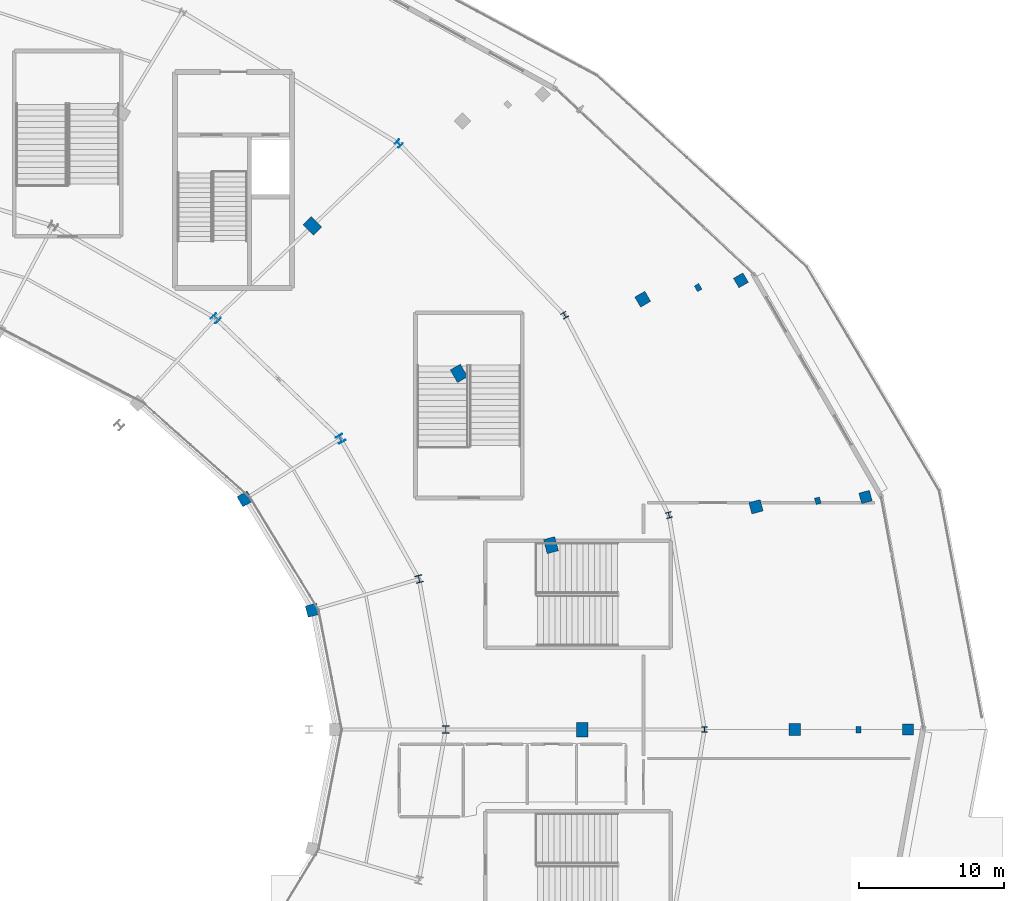
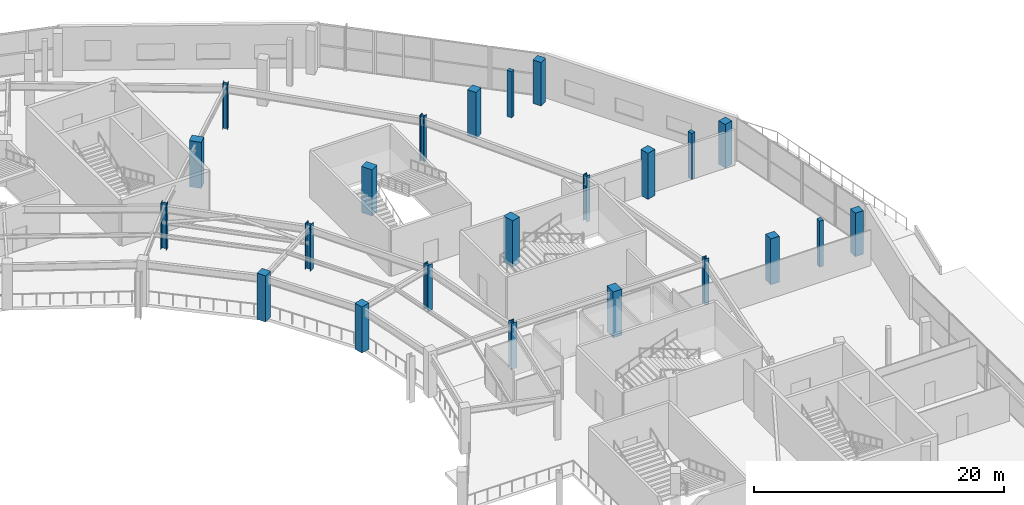
# One storey, part 14 of 107: 23 columns.
"""IFC4 building model written with IfcOpenShell, lengths in metres."""

import ifcopenshell
import ifcopenshell.guid

model = None  # the IFC model being written
_history = None  # IfcOwnerHistory: only IFC2X3 demands one
_inside = {}  # id of a spatial element -> (the spatial element, [elements in it])
_under = {}  # id of a project, library or spatial element -> (it, [spatial elements below it])
_declared = {}  # id of a project -> (the project, [libraries it declares])
_typed = {}  # id of a type object -> (the type object, [elements of that type])
_made_of = {}  # id of a material, layer set ... -> (it, [elements and type objects made of it])


def new_model(schema):
    """Start an empty IFC model of exactly this schema.

    Asked for "IFC4X3", IfcOpenShell would pick the latest addendum, in which some entities
    have other attributes; the version numbers below select the first issue.
    IFC2X3 requires an IfcOwnerHistory on every rooted entity: one is made here for all.
    """
    global model, _history
    if schema == "IFC4X3":
        model = ifcopenshell.file(schema_version=(4, 3, 0, 0))
    else:
        model = ifcopenshell.file(schema=schema)
    _inside.clear()
    _under.clear()
    _declared.clear()
    _typed.clear()
    _made_of.clear()
    _history = None
    if model.schema == "IFC2X3":
        org = make("IfcOrganization", Name="unknown")
        user = make(
            "IfcPersonAndOrganization",
            ThePerson=make("IfcPerson", FamilyName="unknown"),
            TheOrganization=org,
        )
        app = make(
            "IfcApplication",
            ApplicationDeveloper=org,
            Version="unknown",
            ApplicationFullName="unknown",
            ApplicationIdentifier="unknown",
        )
        _history = make(
            "IfcOwnerHistory",
            OwningUser=user,
            OwningApplication=app,
            ChangeAction="ADDED",
            CreationDate=0,
        )
    return model


def make(cls, **values):
    """One entity of the class cls with the attributes given. An attribute that is None is left unset."""
    return model.create_entity(
        cls, **{name: value for name, value in values.items() if value is not None}
    )


def rooted(cls, **values):
    """An entity with a GlobalId (a new one), such as an element, a storey or a relation."""
    return make(cls, GlobalId=ifcopenshell.guid.new(), OwnerHistory=_history, **values)


def si_unit(unit_type, name, prefix=None):
    """IfcSIUnit, for example si_unit("LENGTHUNIT", "METRE", prefix="MILLI")."""
    return make("IfcSIUnit", UnitType=unit_type, Prefix=prefix, Name=name)


def assignment(units):
    """IfcUnitAssignment: the units of a project."""
    return None if units is None else make("IfcUnitAssignment", Units=units)


def point(xyz):
    """IfcCartesianPoint."""
    return None if xyz is None else make("IfcCartesianPoint", Coordinates=xyz)


def direction(xyz):
    """IfcDirection."""
    return None if xyz is None else make("IfcDirection", DirectionRatios=xyz)


def frame(location, z_axis=None, x_axis=None):
    """IfcAxis2Placement3D, a coordinate frame: its origin and axes. An axis left out is left unset."""
    return make(
        "IfcAxis2Placement3D",
        Location=point(location),
        Axis=direction(z_axis),
        RefDirection=direction(x_axis),
    )


def frame_2d(location, x_axis=None):
    """IfcAxis2Placement2D, a coordinate frame in the plane: its origin and x axis."""
    return make(
        "IfcAxis2Placement2D", Location=point(location), RefDirection=direction(x_axis)
    )


def origin():
    """The frame at (0, 0, 0) with its axes left unset."""
    return frame((0.0, 0.0, 0.0))


def origin_2d():
    """The frame at (0, 0) in the plane with its x axis left unset."""
    return frame_2d((0.0, 0.0))


def place(relative_to, where):
    """IfcLocalPlacement: puts the frame where relative to a parent placement (None: the world)."""
    return make(
        "IfcLocalPlacement", PlacementRelTo=relative_to, RelativePlacement=where
    )


def context(
    kind, dimensions, precision=None, world=None, true_north=None, identifier=None
):
    """IfcGeometricRepresentationContext, for example the 3D "Model" context."""
    return make(
        "IfcGeometricRepresentationContext",
        ContextIdentifier=identifier,
        ContextType=kind,
        CoordinateSpaceDimension=dimensions,
        Precision=precision,
        WorldCoordinateSystem=world,
        TrueNorth=true_north,
    )


def subcontext(parent, identifier, kind, view, scale=None):
    """IfcGeometricRepresentationSubContext, for example "Body" below "Model"."""
    return make(
        "IfcGeometricRepresentationSubContext",
        ContextIdentifier=identifier,
        ContextType=kind,
        ParentContext=parent,
        TargetScale=scale,
        TargetView=view,
    )


def project(units=None, contexts=None):
    """IfcProject with its units and contexts."""
    return rooted(
        "IfcProject",
        Name="project",
        RepresentationContexts=contexts,
        UnitsInContext=assignment(units),
    )


def spatial(cls, under=None, at=None, **own):
    """A site, building, storey or space (cls), placed at a placement, below another one or the project."""
    s = rooted(cls, ObjectPlacement=at, **own)
    if under is not None:
        _under.setdefault(under.id(), (under, []))[1].append(s)
    return s


def profile(cls, at=None, kind="AREA", **sizes):
    """A parametric profile (cls). Its sizes go by their IFC names, for example OverallWidth=200.0."""
    return make(cls, ProfileType=kind, Position=at, **sizes)


def rectangle(**sizes):
    """IfcRectangleProfileDef."""
    return profile("IfcRectangleProfileDef", **sizes)


def i_section(**sizes):
    """IfcIShapeProfileDef."""
    return profile("IfcIShapeProfileDef", **sizes)


def extrude(swept, where, along, depth):
    """IfcExtrudedAreaSolid: the profile swept, set in the frame where, extruded along a direction by depth."""
    return make(
        "IfcExtrudedAreaSolid",
        SweptArea=swept,
        Position=where,
        ExtrudedDirection=direction(along),
        Depth=depth,
    )


def shape(context_of_items, identifier, shape_type, items):
    """IfcShapeRepresentation: the items that make up one representation, for example the "Body"."""
    return make(
        "IfcShapeRepresentation",
        ContextOfItems=context_of_items,
        RepresentationIdentifier=identifier,
        RepresentationType=shape_type,
        Items=items,
    )


def material(Name=None, Category=None):
    """IfcMaterial."""
    return make("IfcMaterial", Name=Name, Category=Category)


def material_profile(
    of_material, cross_section, Name=None, Category=None, Priority=None
):
    """IfcMaterialProfile: a cross section and its material."""
    return make(
        "IfcMaterialProfile",
        Name=Name,
        Material=of_material,
        Profile=cross_section,
        Priority=Priority,
        Category=Category,
    )


def profile_set(profiles, Name=None, composite=None):
    """IfcMaterialProfileSet."""
    return make(
        "IfcMaterialProfileSet",
        Name=Name,
        MaterialProfiles=profiles,
        CompositeProfile=composite,
    )


def made_of(thing, what):
    """Note that an element or type object is made of a material, layer set ...; save() writes the relation."""
    if what is not None:
        _made_of.setdefault(what.id(), (what, []))[1].append(thing)
    return thing


def type_object(cls, material=None, **own):
    """A type object (cls), such as IfcWallType, which elements share."""
    return made_of(rooted(cls, **own), material)


def element(
    cls,
    number,
    at=None,
    inside=None,
    cuts=None,
    type_object=None,
    material=None,
    context=None,
    identifier="Body",
    shape_type=None,
    held_by="IfcProductDefinitionShape",
    body=None,
    shapes=None,
    **own,
):
    """One element of the class cls, such as IfcWall. Its Tag is "e" and its number.

    at: its placement. inside: the storey or other place that contains it. cuts: it is an
    opening in that element (IfcRelVoidsElement). A single representation is given by context,
    identifier, shape_type and body (its items); several are given by shapes. held_by: the class
    of the entity that holds the representations. save() writes the other relations.
    """
    e = rooted(cls, Tag="e%d" % number, ObjectPlacement=at, **own)
    if body is not None:
        shapes = [shape(context, identifier, shape_type, body)]
    if shapes is not None:
        e.Representation = make(held_by, Representations=shapes)
    if inside is not None:
        _inside.setdefault(inside.id(), (inside, []))[1].append(e)
    if cuts is not None:
        rooted(
            "IfcRelVoidsElement", RelatingBuildingElement=cuts, RelatedOpeningElement=e
        )
    if type_object is not None:
        _typed.setdefault(type_object.id(), (type_object, []))[1].append(e)
    return made_of(e, material)


def aggregate(whole, parts):
    """IfcRelAggregates: a whole, such as a stair, and the parts it consists of."""
    return rooted("IfcRelAggregates", RelatingObject=whole, RelatedObjects=parts)


def save(model, path):
    """Write the relations noted so far, then the file.

    IfcRelAggregates (storeys below a building ...), IfcRelContainedInSpatialStructure (elements
    in a storey), IfcRelDefinesByType, IfcRelAssociatesMaterial and IfcRelDeclares: one each for
    every whole, place, type object, material and project.
    """
    for whole, parts in _under.values():
        aggregate(whole, parts)
    for where, things in _inside.values():
        rooted(
            "IfcRelContainedInSpatialStructure",
            RelatedElements=things,
            RelatingStructure=where,
        )
    for kind, things in _typed.values():
        rooted("IfcRelDefinesByType", RelatedObjects=things, RelatingType=kind)
    for what, things in _made_of.values():
        rooted("IfcRelAssociatesMaterial", RelatedObjects=things, RelatingMaterial=what)
    for by, libraries in _declared.values():
        rooted("IfcRelDeclares", RelatingContext=by, RelatedDefinitions=libraries)
    model.write(path)


model = new_model("IFC4")

# Units and contexts
model_context = context("Model", 3, precision=1e-05, world=origin(), true_north=direction((0.0, 1.0)))
body_context = subcontext(model_context, "Body", "Model", "MODEL_VIEW")
ifc_project = project(units=[si_unit("LENGTHUNIT", "METRE"), si_unit("AREAUNIT", "SQUARE_METRE"), si_unit("VOLUMEUNIT", "CUBIC_METRE"), si_unit("PLANEANGLEUNIT", "RADIAN"), si_unit("MASSUNIT", "GRAM", prefix="KILO")], contexts=[model_context])

# Site, building, storey
site_placement = place(None, origin())
site = spatial("IfcSite", under=ifc_project, at=site_placement, CompositionType="ELEMENT")
building_placement = place(site_placement, origin())
building = spatial("IfcBuilding", under=site, at=building_placement, Name="Kalgoora Escarpment Arena", CompositionType="ELEMENT")
storey_placement = place(building_placement, frame((0.0, 0.0, 5.39990234375)))
storey = spatial("IfcBuildingStorey", under=building, at=storey_placement, Name="L01", CompositionType="ELEMENT", Elevation=5.39990234375)

# Columns
ifc_material_1 = material(Name="Structural steel Grade 350 (350 MPa)", Category="steel")
ifc_material_profile_1 = material_profile(ifc_material_1, i_section(OverallWidth=0.39990234375, OverallDepth=0.39990234375, WebThickness=0.01806640625, FlangeThickness=0.031982421875, at=origin_2d()))
ifc_profile_set_1 = profile_set([ifc_material_profile_1], Name="Structural steel Grade 350 (350 MPa)")
column_type_1 = type_object("IfcColumnType", Name="COL-COL-400WC270", PredefinedType="COLUMN", material=ifc_profile_set_1)
for number, where, z_axis, x_axis, name in (
    (1, (164.199951171875, 64.0, 0.0), (0.0, 0.0, 1.0), (1.0, 0.0, 0.0), "L01 structural column COL-RCONC2-R01"),
    (2, (161.75341796875, 78.752685546875, 0.0), (0.0, 0.0, 1.0), (0.965925826289, 0.258819045103, 0.0), "L01 structural column COL-RCONC2-R02"),
    (3, (154.58056640625, 92.5, 0.0), (0.0, 0.0, 1.0), (0.866025403784, 0.5, 0.0), "L01 structural column COL-RCONC2-R03"),
    (4, (143.17041015625, 104.30517578125, 0.0), (0.0, 0.0, 1.0), (0.707106781187, 0.707106781187, 0.0), "L01 structural column COL-RCONC2-R04"),
):
    element("IfcColumn", number, at=place(storey_placement, frame(where, z_axis=z_axis, x_axis=x_axis)), inside=storey, type_object=column_type_1, Name=name, PredefinedType="COLUMN", context=body_context, shape_type="SweptSolid", body=[
        extrude(i_section(OverallWidth=0.39990234375, OverallDepth=0.39990234375, WebThickness=0.01806640625, FlangeThickness=0.031982421875, at=origin_2d()), origin(), (0.0, 0.0, 1.0), 4.5),
    ])
ifc_material_2 = material(Name="Structural steel Grade 350 (350 MPa)", Category="steel")
ifc_material_profile_2 = material_profile(ifc_material_2, i_section(OverallWidth=0.5, OverallDepth=0.5, WebThickness=0.02001953125, FlangeThickness=0.034912109375, at=origin_2d()))
ifc_profile_set_2 = profile_set([ifc_material_profile_2], Name="Structural steel Grade 350 (350 MPa)")
column_type_2 = type_object("IfcColumnType", Name="COL-COL-500WC340", PredefinedType="COLUMN", material=ifc_profile_set_2)
for number, where, z_axis, x_axis, name in (
    (5, (146.39990234375, 64.0, 0.0), (0.0, 0.0, 1.0), (1.0, 0.0, 0.0), "L01 structural column COL-RMAIN-R01"),
    (6, (144.56005859375, 74.352783203125, 0.0), (0.0, 0.0, 1.0), (0.965925826289, 0.258819045103, 0.0), "L01 structural column COL-RMAIN-R02"),
    (7, (139.165283203125, 84.0, 0.0), (0.0, 0.0, 1.0), (0.866025403784, 0.5, 0.0), "L01 structural column COL-RMAIN-R03"),
    (8, (130.583740234375, 92.2841796875, 0.0), (0.0, 0.0, 1.0), (0.707106781187, 0.707106781187, 0.0), "L01 structural column COL-RMAIN-R04"),
):
    element("IfcColumn", number, at=place(storey_placement, frame(where, z_axis=z_axis, x_axis=x_axis)), inside=storey, type_object=column_type_2, Name=name, PredefinedType="COLUMN", context=body_context, shape_type="SweptSolid", body=[
        extrude(i_section(OverallWidth=0.5, OverallDepth=0.5, WebThickness=0.02001953125, FlangeThickness=0.034912109375, at=origin_2d()), origin(), (0.0, 0.0, 1.0), 4.5),
    ])
ifc_material_3 = material(Name="Concrete N50 (fc' 50 MPa)", Category="concrete")
ifc_material_profile_3 = material_profile(ifc_material_3, rectangle(XDim=0.800048828125, YDim=1.0, at=origin_2d()))
ifc_profile_set_3 = profile_set([ifc_material_profile_3], Name="Concrete N50 (fc' 50 MPa)")
column_type_3 = type_object("IfcColumnType", Name="COL-COL-RC1000x800", PredefinedType="COLUMN", material=ifc_profile_set_3)
for number, where, z_axis, x_axis, name in (
    (9, (155.800048828125, 64.0, 0.0), (0.0, 0.0, 1.0), (1.0, 0.0, 0.0), "L01 structural column COL-RCONC1-R01"),
    (10, (153.6396484375, 76.68212890625, 0.0), (0.0, 0.0, 1.0), (0.965925826289, 0.258819045103, 0.0), "L01 structural column COL-RCONC1-R02"),
    (11, (147.305908203125, 88.5, 0.0), (0.0, 0.0, 1.0), (0.866025403784, 0.5, 0.0), "L01 structural column COL-RCONC1-R03"),
    (12, (137.230712890625, 98.648193359375, 0.0), (0.0, 0.0, 1.0), (0.707106781187, 0.707106781187, 0.0), "L01 structural column COL-RCONC1-R04"),
):
    element("IfcColumn", number, at=place(storey_placement, frame(where, z_axis=z_axis, x_axis=x_axis)), inside=storey, type_object=column_type_3, Name=name, PredefinedType="COLUMN", context=body_context, shape_type="SweptSolid", body=[
        extrude(rectangle(XDim=0.800048828125, YDim=1.0, at=origin_2d()), origin(), (0.0, 0.0, 1.0), 4.5),
    ])
ifc_material_4 = material(Name="Concrete N50 (fc' 50 MPa)", Category="concrete")
ifc_material_profile_4 = material_profile(ifc_material_4, rectangle(XDim=0.75, YDim=0.75, at=origin_2d()))
ifc_profile_set_4 = profile_set([ifc_material_profile_4], Name="Concrete N50 (fc' 50 MPa)")
column_type_4 = type_object("IfcColumnType", Name="COL-COL-RC750x750", PredefinedType="COLUMN", material=ifc_profile_set_4)
for number, where, z_axis, x_axis, name in (
    (13, (178.199951171875, 64.0, 0.0), (0.0, 0.0, 1.0), (1.0, 0.0, 0.0), "L01 structural column COL-RBASE2-R01"),
    (14, (175.2763671875, 79.9951171875, 0.0), (0.0, 0.0, 1.0), (0.965925826289, 0.258819045103, 0.0), "L01 structural column COL-RBASE2-R02"),
    (15, (166.705078125, 94.89990234375, 0.0), (0.0, 0.0, 1.0), (0.866025403784, 0.5, 0.0), "L01 structural column COL-RBASE2-R03"),
):
    element("IfcColumn", number, at=place(storey_placement, frame(where, z_axis=z_axis, x_axis=x_axis)), inside=storey, type_object=column_type_4, Name=name, PredefinedType="COLUMN", context=body_context, shape_type="SweptSolid", body=[
        extrude(rectangle(XDim=0.75, YDim=0.75, at=origin_2d()), origin(), (0.0, 0.0, 1.0), 4.25),
    ])
ifc_material_5 = material(Name="Concrete N50 (fc' 50 MPa)", Category="concrete")
ifc_material_profile_5 = material_profile(ifc_material_5, rectangle(XDim=0.800048828125, YDim=0.800048828125, at=origin_2d()))
ifc_profile_set_5 = profile_set([ifc_material_profile_5], Name="Concrete N50 (fc' 50 MPa)")
column_type_5 = type_object("IfcColumnType", Name="COL-COL-RC800x800", PredefinedType="COLUMN", material=ifc_profile_set_5)
for number, where, z_axis, x_axis, name in (
    (16, (137.228515625, 72.209716796875, 0.0), (0.0, 0.0, 1.0), (0.965925826289, 0.258819045103, 0.0), "L01 structural column COL-RMID-R02"),
    (17, (132.59228515625, 79.860107421875, 0.0), (0.0, 0.0, 1.0), (0.866025403784, 0.5, 0.0), "L01 structural column COL-RMID-R03"),
    (18, (170.39990234375, 64.0, 0.0), (0.0, 0.0, 1.0), (1.0, 0.0, 0.0), "L01 structural column COL-RBASE1-R01"),
    (19, (167.7421875, 79.322021484375, 0.0), (0.0, 0.0, 1.0), (0.965925826289, 0.258819045103, 0.0), "L01 structural column COL-RBASE1-R02"),
    (20, (159.949951171875, 93.60009765625, 0.0), (0.0, 0.0, 1.0), (0.866025403784, 0.5, 0.0), "L01 structural column COL-RBASE1-R03"),
):
    element("IfcColumn", number, at=place(storey_placement, frame(where, z_axis=z_axis, x_axis=x_axis)), inside=storey, type_object=column_type_5, Name=name, PredefinedType="COLUMN", context=body_context, shape_type="SweptSolid", body=[
        extrude(rectangle(XDim=0.800048828125, YDim=0.800048828125, at=origin_2d()), origin(), (0.0, 0.0, 1.0), 4.5),
    ])
ifc_material_6 = material(Name="Precast concrete N50 (fc' 50 MPa)", Category="concrete")
ifc_material_profile_6 = material_profile(ifc_material_6, rectangle(XDim=0.35009765625, YDim=0.449951171875, at=origin_2d()))
ifc_profile_set_6 = profile_set([ifc_material_profile_6], Name="Precast concrete N50 (fc' 50 MPa)")
column_type_6 = type_object("IfcColumnType", Name="COL-PIL-PC-PILASTER-450x350", PredefinedType="PILASTER", material=ifc_profile_set_6)
for number, where, z_axis, x_axis, name in (
    (21, (174.800048828125, 64.0, 0.0), (0.0, 0.0, 1.0), (1.0, 0.0, 0.0), "L01 fluted pilaster PIL-046"),
    (22, (171.991943359375, 79.736083984375, 0.0), (0.0, 0.0, 1.0), (0.965925826289, 0.258819045103, 0.0), "L01 fluted pilaster PIL-047"),
    (23, (163.760986328125, 94.39990234375, 0.0), (0.0, 0.0, 1.0), (0.866025403784, 0.5, 0.0), "L01 fluted pilaster PIL-048"),
):
    element("IfcColumn", number, at=place(storey_placement, frame(where, z_axis=z_axis, x_axis=x_axis)), inside=storey, type_object=column_type_6, Name=name, PredefinedType="PILASTER", context=body_context, shape_type="SweptSolid", body=[
        extrude(rectangle(XDim=0.35009765625, YDim=0.449951171875, at=origin_2d()), origin(), (0.0, 0.0, 1.0), 4.5),
    ])

save(model, "model.ifc")
